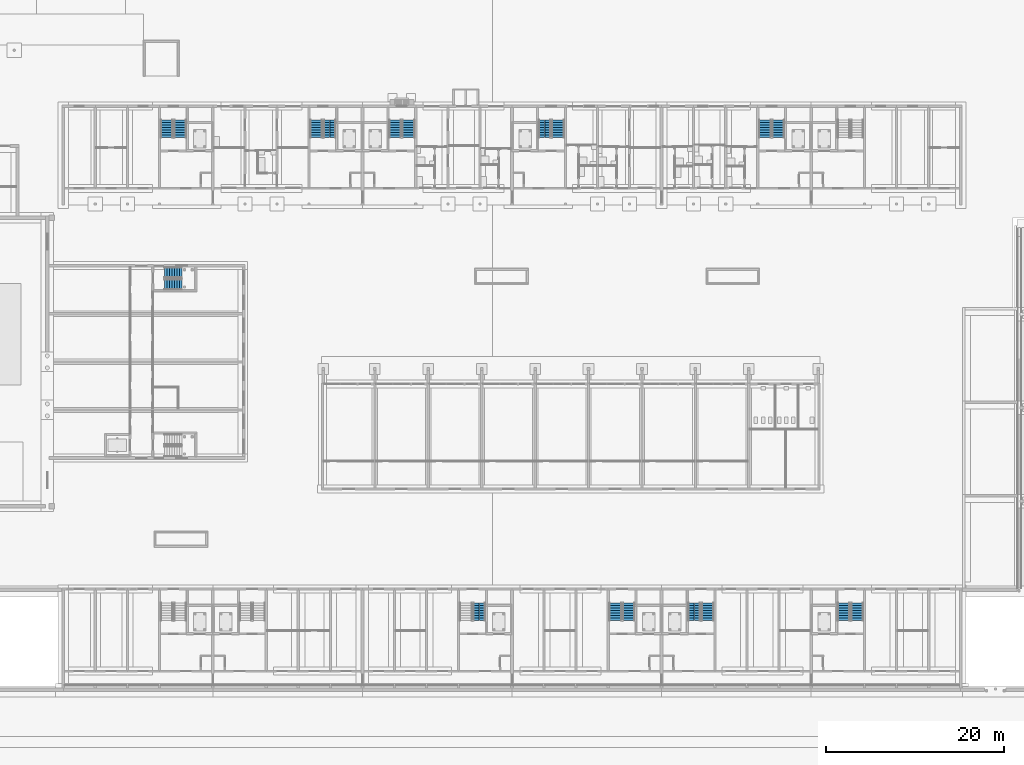
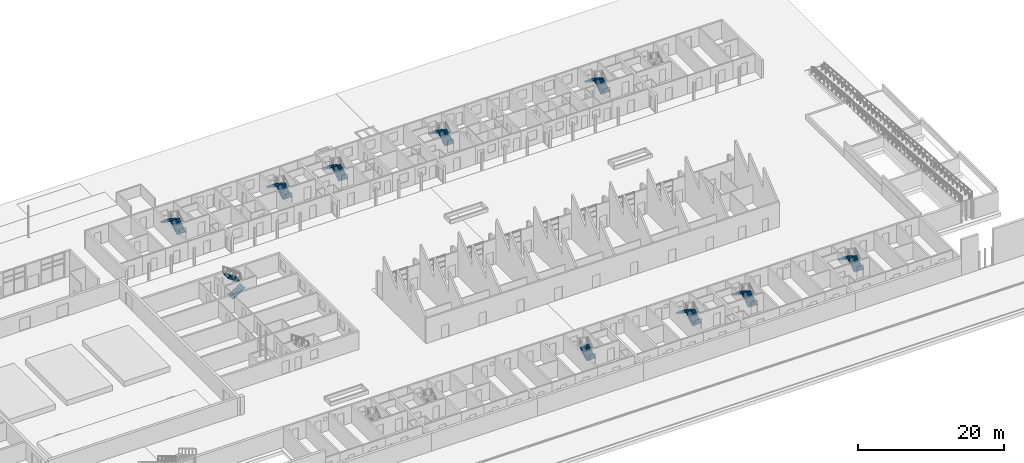
# One storey, part 73 of 112: 19 stair flights, 10 elements without a shape of their own.
"""IFC4 building model written with IfcOpenShell, lengths in metres."""

from ifc_helpers import new_model, si_unit, direction, frame, origin, place, context, subcontext, project, spatial, polyline, outline, extrude, material, type_object, element, aggregate, save


model = new_model("IFC4")

# Units and contexts
model_context = context("Model", 3, precision=1e-05, world=origin(), true_north=direction((0.0, 1.0)))
body_context = subcontext(model_context, "Body", "Model", "MODEL_VIEW")
ifc_project = project(units=[si_unit("LENGTHUNIT", "METRE"), si_unit("AREAUNIT", "SQUARE_METRE"), si_unit("VOLUMEUNIT", "CUBIC_METRE"), si_unit("PLANEANGLEUNIT", "RADIAN"), si_unit("MASSUNIT", "GRAM", prefix="KILO")], contexts=[model_context])

# Site, building, storey
site_placement = place(None, origin())
site = spatial("IfcSite", under=ifc_project, at=site_placement, CompositionType="ELEMENT")
building_placement = place(site_placement, origin())
building = spatial("IfcBuilding", under=site, at=building_placement, Name="Ridgestep Commons", CompositionType="ELEMENT")
storey_placement = place(building_placement, origin())
storey = spatial("IfcBuildingStorey", under=building, at=storey_placement, Name="L00", CompositionType="ELEMENT", Elevation=0.0)

# Stair, stair flights
ifc_material_1 = material(Name="Concrete C30/37", Category="concrete")
stair_type_1 = type_object("IfcStairType", Name="Community stair", PredefinedType="HALF_TURN_STAIR", material=ifc_material_1)
stair_1_placement = place(storey_placement, origin())
stair_1 = element("IfcStair", 1, at=stair_1_placement, inside=storey, type_object=stair_type_1, Name="L00 AE-ST3", PredefinedType="HALF_TURN_STAIR")
ifc_material_2 = material(Name="Concrete C30/37", Category="concrete")
stair_flight_type_1 = type_object("IfcStairFlightType", Name="Community stair flight", PredefinedType="STRAIGHT", material=ifc_material_2)
stair_flight_1_placement = place(storey_placement, frame((158.14990234375, 57.10009765625, 0.0), z_axis=(0.0, 0.0, 1.0), x_axis=(1.0, 0.0, 0.0)))
stair_flight_1 = element("IfcStairFlight", 2, at=stair_flight_1_placement, type_object=stair_flight_type_1, Name="AE-ST3 flight 1", NumberOfRisers=8, NumberOfTreads=7, PredefinedType="STRAIGHT", RiserHeight=0.1875, TreadLength=0.28, context=body_context, shape_type="SweptSolid", body=[
    extrude(outline(polyline([(0.0, 0.0), (0.0, 0.1875), (0.280029296875, 0.1875), (0.280029296875, 0.375), (0.56005859375, 0.375), (0.56005859375, 0.5625), (0.840087890625, 0.5625), (0.840087890625, 0.75), (1.1201171875, 0.75), (1.1201171875, 0.9375), (1.39990234375, 0.9375), (1.39990234375, 1.125), (1.679931640625, 1.125), (1.679931640625, 1.3125), (1.9599609375, 1.3125), (1.9599609375, 1.5), (1.9599609375, 1.132080078125), (0.26953125, 0.0), (0.0, 0.0)])), frame((0.0, 0.60009765625, 0.0), z_axis=(0.0, -1.0, 0.0), x_axis=(1.0, 0.0, 0.0)), (0.0, 0.0, 1.0), 0.594970703125),
    extrude(outline(polyline([(0.0, 0.0), (0.0, 0.1875), (0.280029296875, 0.1875), (0.280029296875, 0.375), (0.56005859375, 0.375), (0.56005859375, 0.5625), (0.840087890625, 0.5625), (0.840087890625, 0.75), (1.1201171875, 0.75), (1.1201171875, 0.9375), (1.39990234375, 0.9375), (1.39990234375, 1.125), (1.679931640625, 1.125), (1.679931640625, 1.3125), (1.9599609375, 1.3125), (1.9599609375, 1.5), (1.9599609375, 1.132080078125), (0.26953125, 0.0), (0.0, 0.0)])), frame((0.0, -0.0048828125, 0.0), z_axis=(0.0, -1.0, 0.0), x_axis=(1.0, 0.0, 0.0)), (0.0, 0.0, 1.0), 0.594970703125),
])
stair_flight_2_placement = place(storey_placement, frame((160.110107421875, 58.449951171875, 1.5), z_axis=(0.0, 0.0, 1.0), x_axis=(-1.0, 0.0, 0.0)))
stair_flight_2 = element("IfcStairFlight", 3, at=stair_flight_2_placement, type_object=stair_flight_type_1, Name="AE-ST3 flight 2", NumberOfRisers=8, NumberOfTreads=7, PredefinedType="STRAIGHT", RiserHeight=0.1875, TreadLength=0.28, context=body_context, shape_type="SweptSolid", body=[
    extrude(outline(polyline([(0.0, 0.0), (0.0, 0.1875), (0.280029296875, 0.1875), (0.280029296875, 0.375), (0.56005859375, 0.375), (0.56005859375, 0.5625), (0.840087890625, 0.5625), (0.840087890625, 0.75), (1.1201171875, 0.75), (1.1201171875, 0.9375), (1.39990234375, 0.9375), (1.39990234375, 1.125), (1.679931640625, 1.125), (1.679931640625, 1.3125), (1.9599609375, 1.3125), (1.9599609375, 1.5), (1.9599609375, 1.132080078125), (0.26953125, 0.0), (0.0, 0.0)])), frame((0.0, 0.60009765625, 0.0), z_axis=(0.0, -1.0, 0.0), x_axis=(1.0, 0.0, 0.0)), (0.0, 0.0, 1.0), 0.594970703125),
    extrude(outline(polyline([(0.0, 0.0), (0.0, 0.1875), (0.280029296875, 0.1875), (0.280029296875, 0.375), (0.56005859375, 0.375), (0.56005859375, 0.5625), (0.840087890625, 0.5625), (0.840087890625, 0.75), (1.1201171875, 0.75), (1.1201171875, 0.9375), (1.39990234375, 0.9375), (1.39990234375, 1.125), (1.679931640625, 1.125), (1.679931640625, 1.3125), (1.9599609375, 1.3125), (1.9599609375, 1.5), (1.9599609375, 1.132080078125), (0.26953125, 0.0), (0.0, 0.0)])), frame((0.0, -0.0048828125, 0.0), z_axis=(0.0, -1.0, 0.0), x_axis=(1.0, 0.0, 0.0)), (0.0, 0.0, 1.0), 0.594970703125),
])
aggregate(stair_1, [stair_flight_1, stair_flight_2])

ifc_material_3 = material(Name="Precast concrete C40/50", Category="concrete")
stair_type_2 = type_object("IfcStairType", Name="Escape stair 1400", PredefinedType="HALF_TURN_STAIR", material=ifc_material_3)
stair_2_placement = place(storey_placement, origin())
stair_2 = element("IfcStair", 4, at=stair_2_placement, inside=storey, type_object=stair_type_2, Name="L00 Escape stair C1C", PredefinedType="HALF_TURN_STAIR")
ifc_material_4 = material(Name="Precast concrete C40/50", Category="concrete")
stair_flight_type_2 = type_object("IfcStairFlightType", Name="Stair flight 1400", PredefinedType="STRAIGHT", material=ifc_material_4)
stair_flight_3_placement = place(storey_placement, frame((159.925048828125, 73.60009765625, 0.0), z_axis=(0.0, 0.0, 1.0), x_axis=(0.0, 1.0, 0.0)))
stair_flight_3 = element("IfcStairFlight", 5, at=stair_flight_3_placement, type_object=stair_flight_type_2, Name="C1C flight 1", NumberOfRisers=8, NumberOfTreads=7, PredefinedType="STRAIGHT", RiserHeight=0.1875, TreadLength=0.28, context=body_context, shape_type="SweptSolid", body=[
    extrude(outline(polyline([(0.0, 0.0), (0.0, 0.1875), (0.280029296875, 0.1875), (0.280029296875, 0.375), (0.56005859375, 0.375), (0.56005859375, 0.5625), (0.840087890625, 0.5625), (0.840087890625, 0.75), (1.1201171875, 0.75), (1.1201171875, 0.9375), (1.39990234375, 0.9375), (1.39990234375, 1.125), (1.679931640625, 1.125), (1.679931640625, 1.3125), (1.9599609375, 1.3125), (1.9599609375, 1.5), (1.9599609375, 1.132080078125), (0.26953125, 0.0), (0.0, 0.0)])), frame((0.0, 0.699951171875, 0.0), z_axis=(0.0, -1.0, 0.0), x_axis=(1.0, 0.0, 0.0)), (0.0, 0.0, 1.0), 0.695068359375),
    extrude(outline(polyline([(0.0, 0.0), (0.0, 0.1875), (0.280029296875, 0.1875), (0.280029296875, 0.375), (0.56005859375, 0.375), (0.56005859375, 0.5625), (0.840087890625, 0.5625), (0.840087890625, 0.75), (1.1201171875, 0.75), (1.1201171875, 0.9375), (1.39990234375, 0.9375), (1.39990234375, 1.125), (1.679931640625, 1.125), (1.679931640625, 1.3125), (1.9599609375, 1.3125), (1.9599609375, 1.5), (1.9599609375, 1.132080078125), (0.26953125, 0.0), (0.0, 0.0)])), frame((0.0, -0.0048828125, 0.0), z_axis=(0.0, -1.0, 0.0), x_axis=(1.0, 0.0, 0.0)), (0.0, 0.0, 1.0), 0.695068359375),
])
stair_flight_4_placement = place(storey_placement, frame((158.425048828125, 75.56005859375, 1.5), z_axis=(0.0, 0.0, 1.0), x_axis=(0.0, -1.0, 0.0)))
stair_flight_4 = element("IfcStairFlight", 6, at=stair_flight_4_placement, type_object=stair_flight_type_2, Name="C1C flight 2", NumberOfRisers=8, NumberOfTreads=7, PredefinedType="STRAIGHT", RiserHeight=0.1875, TreadLength=0.28, context=body_context, shape_type="SweptSolid", body=[
    extrude(outline(polyline([(0.0, 0.0), (0.0, 0.1875), (0.280029296875, 0.1875), (0.280029296875, 0.375), (0.56005859375, 0.375), (0.56005859375, 0.5625), (0.840087890625, 0.5625), (0.840087890625, 0.75), (1.1201171875, 0.75), (1.1201171875, 0.9375), (1.39990234375, 0.9375), (1.39990234375, 1.125), (1.679931640625, 1.125), (1.679931640625, 1.3125), (1.9599609375, 1.3125), (1.9599609375, 1.5), (1.9599609375, 1.132080078125), (0.26953125, 0.0), (0.0, 0.0)])), frame((0.0, 0.699951171875, 0.0), z_axis=(0.0, -1.0, 0.0), x_axis=(1.0, 0.0, 0.0)), (0.0, 0.0, 1.0), 0.695068359375),
    extrude(outline(polyline([(0.0, 0.0), (0.0, 0.1875), (0.280029296875, 0.1875), (0.280029296875, 0.375), (0.56005859375, 0.375), (0.56005859375, 0.5625), (0.840087890625, 0.5625), (0.840087890625, 0.75), (1.1201171875, 0.75), (1.1201171875, 0.9375), (1.39990234375, 0.9375), (1.39990234375, 1.125), (1.679931640625, 1.125), (1.679931640625, 1.3125), (1.9599609375, 1.3125), (1.9599609375, 1.5), (1.9599609375, 1.132080078125), (0.26953125, 0.0), (0.0, 0.0)])), frame((0.0, -0.0048828125, 0.0), z_axis=(0.0, -1.0, 0.0), x_axis=(1.0, 0.0, 0.0)), (0.0, 0.0, 1.0), 0.695068359375),
])
aggregate(stair_2, [stair_flight_3, stair_flight_4])

stair_3_placement = place(storey_placement, origin())
stair_3 = element("IfcStair", 7, at=stair_3_placement, inside=storey, type_object=stair_type_2, Name="L00 Escape stair C2C", PredefinedType="HALF_TURN_STAIR")
stair_flight_5_placement = place(storey_placement, frame((176.72509765625, 73.60009765625, 0.0), z_axis=(0.0, 0.0, 1.0), x_axis=(0.0, 1.0, 0.0)))
stair_flight_5 = element("IfcStairFlight", 8, at=stair_flight_5_placement, type_object=stair_flight_type_2, Name="C2C flight 1", NumberOfRisers=8, NumberOfTreads=7, PredefinedType="STRAIGHT", RiserHeight=0.1875, TreadLength=0.28, context=body_context, shape_type="SweptSolid", body=[
    extrude(outline(polyline([(0.0, 0.0), (0.0, 0.1875), (0.280029296875, 0.1875), (0.280029296875, 0.375), (0.56005859375, 0.375), (0.56005859375, 0.5625), (0.840087890625, 0.5625), (0.840087890625, 0.75), (1.1201171875, 0.75), (1.1201171875, 0.9375), (1.39990234375, 0.9375), (1.39990234375, 1.125), (1.679931640625, 1.125), (1.679931640625, 1.3125), (1.9599609375, 1.3125), (1.9599609375, 1.5), (1.9599609375, 1.132080078125), (0.26953125, 0.0), (0.0, 0.0)])), frame((0.0, 0.699951171875, 0.0), z_axis=(0.0, -1.0, 0.0), x_axis=(1.0, 0.0, 0.0)), (0.0, 0.0, 1.0), 0.695068359375),
    extrude(outline(polyline([(0.0, 0.0), (0.0, 0.1875), (0.280029296875, 0.1875), (0.280029296875, 0.375), (0.56005859375, 0.375), (0.56005859375, 0.5625), (0.840087890625, 0.5625), (0.840087890625, 0.75), (1.1201171875, 0.75), (1.1201171875, 0.9375), (1.39990234375, 0.9375), (1.39990234375, 1.125), (1.679931640625, 1.125), (1.679931640625, 1.3125), (1.9599609375, 1.3125), (1.9599609375, 1.5), (1.9599609375, 1.132080078125), (0.26953125, 0.0), (0.0, 0.0)])), frame((0.0, -0.0048828125, 0.0), z_axis=(0.0, -1.0, 0.0), x_axis=(1.0, 0.0, 0.0)), (0.0, 0.0, 1.0), 0.695068359375),
])
stair_flight_6_placement = place(storey_placement, frame((175.22509765625, 75.56005859375, 1.5), z_axis=(0.0, 0.0, 1.0), x_axis=(0.0, -1.0, 0.0)))
stair_flight_6 = element("IfcStairFlight", 9, at=stair_flight_6_placement, type_object=stair_flight_type_2, Name="C2C flight 2", NumberOfRisers=8, NumberOfTreads=7, PredefinedType="STRAIGHT", RiserHeight=0.1875, TreadLength=0.28, context=body_context, shape_type="SweptSolid", body=[
    extrude(outline(polyline([(0.0, 0.0), (0.0, 0.1875), (0.280029296875, 0.1875), (0.280029296875, 0.375), (0.56005859375, 0.375), (0.56005859375, 0.5625), (0.840087890625, 0.5625), (0.840087890625, 0.75), (1.1201171875, 0.75), (1.1201171875, 0.9375), (1.39990234375, 0.9375), (1.39990234375, 1.125), (1.679931640625, 1.125), (1.679931640625, 1.3125), (1.9599609375, 1.3125), (1.9599609375, 1.5), (1.9599609375, 1.132080078125), (0.26953125, 0.0), (0.0, 0.0)])), frame((0.0, 0.699951171875, 0.0), z_axis=(0.0, -1.0, 0.0), x_axis=(1.0, 0.0, 0.0)), (0.0, 0.0, 1.0), 0.695068359375),
    extrude(outline(polyline([(0.0, 0.0), (0.0, 0.1875), (0.280029296875, 0.1875), (0.280029296875, 0.375), (0.56005859375, 0.375), (0.56005859375, 0.5625), (0.840087890625, 0.5625), (0.840087890625, 0.75), (1.1201171875, 0.75), (1.1201171875, 0.9375), (1.39990234375, 0.9375), (1.39990234375, 1.125), (1.679931640625, 1.125), (1.679931640625, 1.3125), (1.9599609375, 1.3125), (1.9599609375, 1.5), (1.9599609375, 1.132080078125), (0.26953125, 0.0), (0.0, 0.0)])), frame((0.0, -0.0048828125, 0.0), z_axis=(0.0, -1.0, 0.0), x_axis=(1.0, 0.0, 0.0)), (0.0, 0.0, 1.0), 0.695068359375),
])
aggregate(stair_3, [stair_flight_5, stair_flight_6])

stair_4_placement = place(storey_placement, origin())
stair_4 = element("IfcStair", 10, at=stair_4_placement, inside=storey, type_object=stair_type_2, Name="L00 Escape stair C3C", PredefinedType="HALF_TURN_STAIR")
stair_flight_7_placement = place(storey_placement, frame((185.574951171875, 73.60009765625, 0.0), z_axis=(0.0, 0.0, 1.0), x_axis=(0.0, 1.0, 0.0)))
stair_flight_7 = element("IfcStairFlight", 11, at=stair_flight_7_placement, type_object=stair_flight_type_2, Name="C3C flight 1", NumberOfRisers=8, NumberOfTreads=7, PredefinedType="STRAIGHT", RiserHeight=0.1875, TreadLength=0.28, context=body_context, shape_type="SweptSolid", body=[
    extrude(outline(polyline([(0.0, 0.0), (0.0, 0.1875), (0.280029296875, 0.1875), (0.280029296875, 0.375), (0.56005859375, 0.375), (0.56005859375, 0.5625), (0.840087890625, 0.5625), (0.840087890625, 0.75), (1.1201171875, 0.75), (1.1201171875, 0.9375), (1.39990234375, 0.9375), (1.39990234375, 1.125), (1.679931640625, 1.125), (1.679931640625, 1.3125), (1.9599609375, 1.3125), (1.9599609375, 1.5), (1.9599609375, 1.132080078125), (0.26953125, 0.0), (0.0, 0.0)])), frame((0.0, 0.699951171875, 0.0), z_axis=(0.0, -1.0, 0.0), x_axis=(1.0, 0.0, 0.0)), (0.0, 0.0, 1.0), 0.695068359375),
    extrude(outline(polyline([(0.0, 0.0), (0.0, 0.1875), (0.280029296875, 0.1875), (0.280029296875, 0.375), (0.56005859375, 0.375), (0.56005859375, 0.5625), (0.840087890625, 0.5625), (0.840087890625, 0.75), (1.1201171875, 0.75), (1.1201171875, 0.9375), (1.39990234375, 0.9375), (1.39990234375, 1.125), (1.679931640625, 1.125), (1.679931640625, 1.3125), (1.9599609375, 1.3125), (1.9599609375, 1.5), (1.9599609375, 1.132080078125), (0.26953125, 0.0), (0.0, 0.0)])), frame((0.0, -0.0048828125, 0.0), z_axis=(0.0, -1.0, 0.0), x_axis=(1.0, 0.0, 0.0)), (0.0, 0.0, 1.0), 0.695068359375),
])
stair_flight_8_placement = place(storey_placement, frame((184.074951171875, 75.56005859375, 1.5), z_axis=(0.0, 0.0, 1.0), x_axis=(0.0, -1.0, 0.0)))
stair_flight_8 = element("IfcStairFlight", 12, at=stair_flight_8_placement, type_object=stair_flight_type_2, Name="C3C flight 2", NumberOfRisers=8, NumberOfTreads=7, PredefinedType="STRAIGHT", RiserHeight=0.1875, TreadLength=0.28, context=body_context, shape_type="SweptSolid", body=[
    extrude(outline(polyline([(0.0, 0.0), (0.0, 0.1875), (0.280029296875, 0.1875), (0.280029296875, 0.375), (0.56005859375, 0.375), (0.56005859375, 0.5625), (0.840087890625, 0.5625), (0.840087890625, 0.75), (1.1201171875, 0.75), (1.1201171875, 0.9375), (1.39990234375, 0.9375), (1.39990234375, 1.125), (1.679931640625, 1.125), (1.679931640625, 1.3125), (1.9599609375, 1.3125), (1.9599609375, 1.5), (1.9599609375, 1.132080078125), (0.26953125, 0.0), (0.0, 0.0)])), frame((0.0, 0.699951171875, 0.0), z_axis=(0.0, -1.0, 0.0), x_axis=(1.0, 0.0, 0.0)), (0.0, 0.0, 1.0), 0.695068359375),
    extrude(outline(polyline([(0.0, 0.0), (0.0, 0.1875), (0.280029296875, 0.1875), (0.280029296875, 0.375), (0.56005859375, 0.375), (0.56005859375, 0.5625), (0.840087890625, 0.5625), (0.840087890625, 0.75), (1.1201171875, 0.75), (1.1201171875, 0.9375), (1.39990234375, 0.9375), (1.39990234375, 1.125), (1.679931640625, 1.125), (1.679931640625, 1.3125), (1.9599609375, 1.3125), (1.9599609375, 1.5), (1.9599609375, 1.132080078125), (0.26953125, 0.0), (0.0, 0.0)])), frame((0.0, -0.0048828125, 0.0), z_axis=(0.0, -1.0, 0.0), x_axis=(1.0, 0.0, 0.0)), (0.0, 0.0, 1.0), 0.695068359375),
])
aggregate(stair_4, [stair_flight_7, stair_flight_8])

stair_5_placement = place(storey_placement, origin())
stair_5 = element("IfcStair", 13, at=stair_5_placement, inside=storey, type_object=stair_type_2, Name="L00 Escape stair C4C", PredefinedType="HALF_TURN_STAIR")
stair_flight_9_placement = place(storey_placement, frame((202.375, 73.60009765625, 0.0), z_axis=(0.0, 0.0, 1.0), x_axis=(0.0, 1.0, 0.0)))
stair_flight_9 = element("IfcStairFlight", 14, at=stair_flight_9_placement, type_object=stair_flight_type_2, Name="C4C flight 1", NumberOfRisers=8, NumberOfTreads=7, PredefinedType="STRAIGHT", RiserHeight=0.1875, TreadLength=0.28, context=body_context, shape_type="SweptSolid", body=[
    extrude(outline(polyline([(0.0, 0.0), (0.0, 0.1875), (0.280029296875, 0.1875), (0.280029296875, 0.375), (0.56005859375, 0.375), (0.56005859375, 0.5625), (0.840087890625, 0.5625), (0.840087890625, 0.75), (1.1201171875, 0.75), (1.1201171875, 0.9375), (1.39990234375, 0.9375), (1.39990234375, 1.125), (1.679931640625, 1.125), (1.679931640625, 1.3125), (1.9599609375, 1.3125), (1.9599609375, 1.5), (1.9599609375, 1.132080078125), (0.26953125, 0.0), (0.0, 0.0)])), frame((0.0, 0.699951171875, 0.0), z_axis=(0.0, -1.0, 0.0), x_axis=(1.0, 0.0, 0.0)), (0.0, 0.0, 1.0), 0.695068359375),
    extrude(outline(polyline([(0.0, 0.0), (0.0, 0.1875), (0.280029296875, 0.1875), (0.280029296875, 0.375), (0.56005859375, 0.375), (0.56005859375, 0.5625), (0.840087890625, 0.5625), (0.840087890625, 0.75), (1.1201171875, 0.75), (1.1201171875, 0.9375), (1.39990234375, 0.9375), (1.39990234375, 1.125), (1.679931640625, 1.125), (1.679931640625, 1.3125), (1.9599609375, 1.3125), (1.9599609375, 1.5), (1.9599609375, 1.132080078125), (0.26953125, 0.0), (0.0, 0.0)])), frame((0.0, -0.0048828125, 0.0), z_axis=(0.0, -1.0, 0.0), x_axis=(1.0, 0.0, 0.0)), (0.0, 0.0, 1.0), 0.695068359375),
])
stair_flight_10_placement = place(storey_placement, frame((200.875, 75.56005859375, 1.5), z_axis=(0.0, 0.0, 1.0), x_axis=(0.0, -1.0, 0.0)))
stair_flight_10 = element("IfcStairFlight", 15, at=stair_flight_10_placement, type_object=stair_flight_type_2, Name="C4C flight 2", NumberOfRisers=8, NumberOfTreads=7, PredefinedType="STRAIGHT", RiserHeight=0.1875, TreadLength=0.28, context=body_context, shape_type="SweptSolid", body=[
    extrude(outline(polyline([(0.0, 0.0), (0.0, 0.1875), (0.280029296875, 0.1875), (0.280029296875, 0.375), (0.56005859375, 0.375), (0.56005859375, 0.5625), (0.840087890625, 0.5625), (0.840087890625, 0.75), (1.1201171875, 0.75), (1.1201171875, 0.9375), (1.39990234375, 0.9375), (1.39990234375, 1.125), (1.679931640625, 1.125), (1.679931640625, 1.3125), (1.9599609375, 1.3125), (1.9599609375, 1.5), (1.9599609375, 1.132080078125), (0.26953125, 0.0), (0.0, 0.0)])), frame((0.0, 0.699951171875, 0.0), z_axis=(0.0, -1.0, 0.0), x_axis=(1.0, 0.0, 0.0)), (0.0, 0.0, 1.0), 0.695068359375),
    extrude(outline(polyline([(0.0, 0.0), (0.0, 0.1875), (0.280029296875, 0.1875), (0.280029296875, 0.375), (0.56005859375, 0.375), (0.56005859375, 0.5625), (0.840087890625, 0.5625), (0.840087890625, 0.75), (1.1201171875, 0.75), (1.1201171875, 0.9375), (1.39990234375, 0.9375), (1.39990234375, 1.125), (1.679931640625, 1.125), (1.679931640625, 1.3125), (1.9599609375, 1.3125), (1.9599609375, 1.5), (1.9599609375, 1.132080078125), (0.26953125, 0.0), (0.0, 0.0)])), frame((0.0, -0.0048828125, 0.0), z_axis=(0.0, -1.0, 0.0), x_axis=(1.0, 0.0, 0.0)), (0.0, 0.0, 1.0), 0.695068359375),
])
aggregate(stair_5, [stair_flight_9, stair_flight_10])

stair_6_placement = place(storey_placement, origin())
stair_6 = element("IfcStair", 16, at=stair_6_placement, inside=storey, type_object=stair_type_2, Name="L00 Escape stair C5C", PredefinedType="HALF_TURN_STAIR")
stair_flight_11_placement = place(storey_placement, frame((227.125, 73.60009765625, 0.0), z_axis=(0.0, 0.0, 1.0), x_axis=(0.0, 1.0, 0.0)))
stair_flight_11 = element("IfcStairFlight", 17, at=stair_flight_11_placement, type_object=stair_flight_type_2, Name="C5C flight 1", NumberOfRisers=8, NumberOfTreads=7, PredefinedType="STRAIGHT", RiserHeight=0.1875, TreadLength=0.28, context=body_context, shape_type="SweptSolid", body=[
    extrude(outline(polyline([(0.0, 0.0), (0.0, 0.1875), (0.280029296875, 0.1875), (0.280029296875, 0.375), (0.56005859375, 0.375), (0.56005859375, 0.5625), (0.840087890625, 0.5625), (0.840087890625, 0.75), (1.1201171875, 0.75), (1.1201171875, 0.9375), (1.39990234375, 0.9375), (1.39990234375, 1.125), (1.679931640625, 1.125), (1.679931640625, 1.3125), (1.9599609375, 1.3125), (1.9599609375, 1.5), (1.9599609375, 1.132080078125), (0.26953125, 0.0), (0.0, 0.0)])), frame((0.0, 0.699951171875, 0.0), z_axis=(0.0, -1.0, 0.0), x_axis=(1.0, 0.0, 0.0)), (0.0, 0.0, 1.0), 0.695068359375),
    extrude(outline(polyline([(0.0, 0.0), (0.0, 0.1875), (0.280029296875, 0.1875), (0.280029296875, 0.375), (0.56005859375, 0.375), (0.56005859375, 0.5625), (0.840087890625, 0.5625), (0.840087890625, 0.75), (1.1201171875, 0.75), (1.1201171875, 0.9375), (1.39990234375, 0.9375), (1.39990234375, 1.125), (1.679931640625, 1.125), (1.679931640625, 1.3125), (1.9599609375, 1.3125), (1.9599609375, 1.5), (1.9599609375, 1.132080078125), (0.26953125, 0.0), (0.0, 0.0)])), frame((0.0, -0.0048828125, 0.0), z_axis=(0.0, -1.0, 0.0), x_axis=(1.0, 0.0, 0.0)), (0.0, 0.0, 1.0), 0.695068359375),
])
stair_flight_12_placement = place(storey_placement, frame((225.625, 75.56005859375, 1.5), z_axis=(0.0, 0.0, 1.0), x_axis=(0.0, -1.0, 0.0)))
stair_flight_12 = element("IfcStairFlight", 18, at=stair_flight_12_placement, type_object=stair_flight_type_2, Name="C5C flight 2", NumberOfRisers=8, NumberOfTreads=7, PredefinedType="STRAIGHT", RiserHeight=0.1875, TreadLength=0.28, context=body_context, shape_type="SweptSolid", body=[
    extrude(outline(polyline([(0.0, 0.0), (0.0, 0.1875), (0.280029296875, 0.1875), (0.280029296875, 0.375), (0.56005859375, 0.375), (0.56005859375, 0.5625), (0.840087890625, 0.5625), (0.840087890625, 0.75), (1.1201171875, 0.75), (1.1201171875, 0.9375), (1.39990234375, 0.9375), (1.39990234375, 1.125), (1.679931640625, 1.125), (1.679931640625, 1.3125), (1.9599609375, 1.3125), (1.9599609375, 1.5), (1.9599609375, 1.132080078125), (0.26953125, 0.0), (0.0, 0.0)])), frame((0.0, 0.699951171875, 0.0), z_axis=(0.0, -1.0, 0.0), x_axis=(1.0, 0.0, 0.0)), (0.0, 0.0, 1.0), 0.695068359375),
    extrude(outline(polyline([(0.0, 0.0), (0.0, 0.1875), (0.280029296875, 0.1875), (0.280029296875, 0.375), (0.56005859375, 0.375), (0.56005859375, 0.5625), (0.840087890625, 0.5625), (0.840087890625, 0.75), (1.1201171875, 0.75), (1.1201171875, 0.9375), (1.39990234375, 0.9375), (1.39990234375, 1.125), (1.679931640625, 1.125), (1.679931640625, 1.3125), (1.9599609375, 1.3125), (1.9599609375, 1.5), (1.9599609375, 1.132080078125), (0.26953125, 0.0), (0.0, 0.0)])), frame((0.0, -0.0048828125, 0.0), z_axis=(0.0, -1.0, 0.0), x_axis=(1.0, 0.0, 0.0)), (0.0, 0.0, 1.0), 0.695068359375),
])
aggregate(stair_6, [stair_flight_11, stair_flight_12])

# Stair, stair flight
stair_7_placement = place(storey_placement, origin())
stair_7 = element("IfcStair", 19, at=stair_7_placement, inside=storey, type_object=stair_type_2, Name="L00 Escape stair D3C", PredefinedType="HALF_TURN_STAIR")
stair_flight_13_placement = place(storey_placement, frame((193.52490234375, 19.35009765625, 0.0), z_axis=(0.0, 0.0, 1.0), x_axis=(0.0, 1.0, 0.0)))
stair_flight_13 = element("IfcStairFlight", 20, at=stair_flight_13_placement, type_object=stair_flight_type_2, Name="D3C flight 1", NumberOfRisers=8, NumberOfTreads=7, PredefinedType="STRAIGHT", RiserHeight=0.1875, TreadLength=0.28, context=body_context, shape_type="SweptSolid", body=[
    extrude(outline(polyline([(0.0, 0.0), (0.0, 0.1875), (0.280029296875, 0.1875), (0.280029296875, 0.375), (0.56005859375, 0.375), (0.56005859375, 0.5625), (0.840087890625, 0.5625), (0.840087890625, 0.75), (1.1201171875, 0.75), (1.1201171875, 0.9375), (1.39990234375, 0.9375), (1.39990234375, 1.125), (1.679931640625, 1.125), (1.679931640625, 1.3125), (1.9599609375, 1.3125), (1.9599609375, 1.5), (1.9599609375, 1.132080078125), (0.26953125, 0.0), (0.0, 0.0)])), frame((0.0, 0.699951171875, 0.0), z_axis=(0.0, -1.0, 0.0), x_axis=(1.0, 0.0, 0.0)), (0.0, 0.0, 1.0), 0.695068359375),
    extrude(outline(polyline([(0.0, 0.0), (0.0, 0.1875), (0.280029296875, 0.1875), (0.280029296875, 0.375), (0.56005859375, 0.375), (0.56005859375, 0.5625), (0.840087890625, 0.5625), (0.840087890625, 0.75), (1.1201171875, 0.75), (1.1201171875, 0.9375), (1.39990234375, 0.9375), (1.39990234375, 1.125), (1.679931640625, 1.125), (1.679931640625, 1.3125), (1.9599609375, 1.3125), (1.9599609375, 1.5), (1.9599609375, 1.132080078125), (0.26953125, 0.0), (0.0, 0.0)])), frame((0.0, -0.0048828125, 0.0), z_axis=(0.0, -1.0, 0.0), x_axis=(1.0, 0.0, 0.0)), (0.0, 0.0, 1.0), 0.695068359375),
])
aggregate(stair_7, [stair_flight_13])

# Stair, stair flights
stair_8_placement = place(storey_placement, origin())
stair_8 = element("IfcStair", 21, at=stair_8_placement, inside=storey, type_object=stair_type_2, Name="L00 Escape stair D4C", PredefinedType="HALF_TURN_STAIR")
stair_flight_14_placement = place(storey_placement, frame((210.324951171875, 19.35009765625, 0.0), z_axis=(0.0, 0.0, 1.0), x_axis=(0.0, 1.0, 0.0)))
stair_flight_14 = element("IfcStairFlight", 22, at=stair_flight_14_placement, type_object=stair_flight_type_2, Name="D4C flight 1", NumberOfRisers=8, NumberOfTreads=7, PredefinedType="STRAIGHT", RiserHeight=0.1875, TreadLength=0.28, context=body_context, shape_type="SweptSolid", body=[
    extrude(outline(polyline([(0.0, 0.0), (0.0, 0.1875), (0.280029296875, 0.1875), (0.280029296875, 0.375), (0.56005859375, 0.375), (0.56005859375, 0.5625), (0.840087890625, 0.5625), (0.840087890625, 0.75), (1.1201171875, 0.75), (1.1201171875, 0.9375), (1.39990234375, 0.9375), (1.39990234375, 1.125), (1.679931640625, 1.125), (1.679931640625, 1.3125), (1.9599609375, 1.3125), (1.9599609375, 1.5), (1.9599609375, 1.132080078125), (0.26953125, 0.0), (0.0, 0.0)])), frame((0.0, 0.699951171875, 0.0), z_axis=(0.0, -1.0, 0.0), x_axis=(1.0, 0.0, 0.0)), (0.0, 0.0, 1.0), 0.695068359375),
    extrude(outline(polyline([(0.0, 0.0), (0.0, 0.1875), (0.280029296875, 0.1875), (0.280029296875, 0.375), (0.56005859375, 0.375), (0.56005859375, 0.5625), (0.840087890625, 0.5625), (0.840087890625, 0.75), (1.1201171875, 0.75), (1.1201171875, 0.9375), (1.39990234375, 0.9375), (1.39990234375, 1.125), (1.679931640625, 1.125), (1.679931640625, 1.3125), (1.9599609375, 1.3125), (1.9599609375, 1.5), (1.9599609375, 1.132080078125), (0.26953125, 0.0), (0.0, 0.0)])), frame((0.0, -0.0048828125, 0.0), z_axis=(0.0, -1.0, 0.0), x_axis=(1.0, 0.0, 0.0)), (0.0, 0.0, 1.0), 0.695068359375),
])
stair_flight_15_placement = place(storey_placement, frame((208.824951171875, 21.31005859375, 1.5), z_axis=(0.0, 0.0, 1.0), x_axis=(0.0, -1.0, 0.0)))
stair_flight_15 = element("IfcStairFlight", 23, at=stair_flight_15_placement, type_object=stair_flight_type_2, Name="D4C flight 2", NumberOfRisers=8, NumberOfTreads=7, PredefinedType="STRAIGHT", RiserHeight=0.1875, TreadLength=0.28, context=body_context, shape_type="SweptSolid", body=[
    extrude(outline(polyline([(0.0, 0.0), (0.0, 0.1875), (0.280029296875, 0.1875), (0.280029296875, 0.375), (0.56005859375, 0.375), (0.56005859375, 0.5625), (0.840087890625, 0.5625), (0.840087890625, 0.75), (1.1201171875, 0.75), (1.1201171875, 0.9375), (1.39990234375, 0.9375), (1.39990234375, 1.125), (1.679931640625, 1.125), (1.679931640625, 1.3125), (1.9599609375, 1.3125), (1.9599609375, 1.5), (1.9599609375, 1.132080078125), (0.26953125, 0.0), (0.0, 0.0)])), frame((0.0, 0.699951171875, 0.0), z_axis=(0.0, -1.0, 0.0), x_axis=(1.0, 0.0, 0.0)), (0.0, 0.0, 1.0), 0.695068359375),
    extrude(outline(polyline([(0.0, 0.0), (0.0, 0.1875), (0.280029296875, 0.1875), (0.280029296875, 0.375), (0.56005859375, 0.375), (0.56005859375, 0.5625), (0.840087890625, 0.5625), (0.840087890625, 0.75), (1.1201171875, 0.75), (1.1201171875, 0.9375), (1.39990234375, 0.9375), (1.39990234375, 1.125), (1.679931640625, 1.125), (1.679931640625, 1.3125), (1.9599609375, 1.3125), (1.9599609375, 1.5), (1.9599609375, 1.132080078125), (0.26953125, 0.0), (0.0, 0.0)])), frame((0.0, -0.0048828125, 0.0), z_axis=(0.0, -1.0, 0.0), x_axis=(1.0, 0.0, 0.0)), (0.0, 0.0, 1.0), 0.695068359375),
])
aggregate(stair_8, [stair_flight_14, stair_flight_15])

stair_9_placement = place(storey_placement, origin())
stair_9 = element("IfcStair", 24, at=stair_9_placement, inside=storey, type_object=stair_type_2, Name="L00 Escape stair D5C", PredefinedType="HALF_TURN_STAIR")
stair_flight_16_placement = place(storey_placement, frame((219.175048828125, 19.35009765625, 0.0), z_axis=(0.0, 0.0, 1.0), x_axis=(0.0, 1.0, 0.0)))
stair_flight_16 = element("IfcStairFlight", 25, at=stair_flight_16_placement, type_object=stair_flight_type_2, Name="D5C flight 1", NumberOfRisers=8, NumberOfTreads=7, PredefinedType="STRAIGHT", RiserHeight=0.1875, TreadLength=0.28, context=body_context, shape_type="SweptSolid", body=[
    extrude(outline(polyline([(0.0, 0.0), (0.0, 0.1875), (0.280029296875, 0.1875), (0.280029296875, 0.375), (0.56005859375, 0.375), (0.56005859375, 0.5625), (0.840087890625, 0.5625), (0.840087890625, 0.75), (1.1201171875, 0.75), (1.1201171875, 0.9375), (1.39990234375, 0.9375), (1.39990234375, 1.125), (1.679931640625, 1.125), (1.679931640625, 1.3125), (1.9599609375, 1.3125), (1.9599609375, 1.5), (1.9599609375, 1.132080078125), (0.26953125, 0.0), (0.0, 0.0)])), frame((0.0, 0.699951171875, 0.0), z_axis=(0.0, -1.0, 0.0), x_axis=(1.0, 0.0, 0.0)), (0.0, 0.0, 1.0), 0.695068359375),
    extrude(outline(polyline([(0.0, 0.0), (0.0, 0.1875), (0.280029296875, 0.1875), (0.280029296875, 0.375), (0.56005859375, 0.375), (0.56005859375, 0.5625), (0.840087890625, 0.5625), (0.840087890625, 0.75), (1.1201171875, 0.75), (1.1201171875, 0.9375), (1.39990234375, 0.9375), (1.39990234375, 1.125), (1.679931640625, 1.125), (1.679931640625, 1.3125), (1.9599609375, 1.3125), (1.9599609375, 1.5), (1.9599609375, 1.132080078125), (0.26953125, 0.0), (0.0, 0.0)])), frame((0.0, -0.0048828125, 0.0), z_axis=(0.0, -1.0, 0.0), x_axis=(1.0, 0.0, 0.0)), (0.0, 0.0, 1.0), 0.695068359375),
])
stair_flight_17_placement = place(storey_placement, frame((217.675048828125, 21.31005859375, 1.5), z_axis=(0.0, 0.0, 1.0), x_axis=(0.0, -1.0, 0.0)))
stair_flight_17 = element("IfcStairFlight", 26, at=stair_flight_17_placement, type_object=stair_flight_type_2, Name="D5C flight 2", NumberOfRisers=8, NumberOfTreads=7, PredefinedType="STRAIGHT", RiserHeight=0.1875, TreadLength=0.28, context=body_context, shape_type="SweptSolid", body=[
    extrude(outline(polyline([(0.0, 0.0), (0.0, 0.1875), (0.280029296875, 0.1875), (0.280029296875, 0.375), (0.56005859375, 0.375), (0.56005859375, 0.5625), (0.840087890625, 0.5625), (0.840087890625, 0.75), (1.1201171875, 0.75), (1.1201171875, 0.9375), (1.39990234375, 0.9375), (1.39990234375, 1.125), (1.679931640625, 1.125), (1.679931640625, 1.3125), (1.9599609375, 1.3125), (1.9599609375, 1.5), (1.9599609375, 1.132080078125), (0.26953125, 0.0), (0.0, 0.0)])), frame((0.0, 0.699951171875, 0.0), z_axis=(0.0, -1.0, 0.0), x_axis=(1.0, 0.0, 0.0)), (0.0, 0.0, 1.0), 0.695068359375),
    extrude(outline(polyline([(0.0, 0.0), (0.0, 0.1875), (0.280029296875, 0.1875), (0.280029296875, 0.375), (0.56005859375, 0.375), (0.56005859375, 0.5625), (0.840087890625, 0.5625), (0.840087890625, 0.75), (1.1201171875, 0.75), (1.1201171875, 0.9375), (1.39990234375, 0.9375), (1.39990234375, 1.125), (1.679931640625, 1.125), (1.679931640625, 1.3125), (1.9599609375, 1.3125), (1.9599609375, 1.5), (1.9599609375, 1.132080078125), (0.26953125, 0.0), (0.0, 0.0)])), frame((0.0, -0.0048828125, 0.0), z_axis=(0.0, -1.0, 0.0), x_axis=(1.0, 0.0, 0.0)), (0.0, 0.0, 1.0), 0.695068359375),
])
aggregate(stair_9, [stair_flight_16, stair_flight_17])

stair_10_placement = place(storey_placement, origin())
stair_10 = element("IfcStair", 27, at=stair_10_placement, inside=storey, type_object=stair_type_2, Name="L00 Escape stair D6C", PredefinedType="HALF_TURN_STAIR")
stair_flight_18_placement = place(storey_placement, frame((235.97509765625, 19.35009765625, 0.0), z_axis=(0.0, 0.0, 1.0), x_axis=(0.0, 1.0, 0.0)))
stair_flight_18 = element("IfcStairFlight", 28, at=stair_flight_18_placement, type_object=stair_flight_type_2, Name="D6C flight 1", NumberOfRisers=8, NumberOfTreads=7, PredefinedType="STRAIGHT", RiserHeight=0.1875, TreadLength=0.28, context=body_context, shape_type="SweptSolid", body=[
    extrude(outline(polyline([(0.0, 0.0), (0.0, 0.1875), (0.280029296875, 0.1875), (0.280029296875, 0.375), (0.56005859375, 0.375), (0.56005859375, 0.5625), (0.840087890625, 0.5625), (0.840087890625, 0.75), (1.1201171875, 0.75), (1.1201171875, 0.9375), (1.39990234375, 0.9375), (1.39990234375, 1.125), (1.679931640625, 1.125), (1.679931640625, 1.3125), (1.9599609375, 1.3125), (1.9599609375, 1.5), (1.9599609375, 1.132080078125), (0.26953125, 0.0), (0.0, 0.0)])), frame((0.0, 0.699951171875, 0.0), z_axis=(0.0, -1.0, 0.0), x_axis=(1.0, 0.0, 0.0)), (0.0, 0.0, 1.0), 0.695068359375),
    extrude(outline(polyline([(0.0, 0.0), (0.0, 0.1875), (0.280029296875, 0.1875), (0.280029296875, 0.375), (0.56005859375, 0.375), (0.56005859375, 0.5625), (0.840087890625, 0.5625), (0.840087890625, 0.75), (1.1201171875, 0.75), (1.1201171875, 0.9375), (1.39990234375, 0.9375), (1.39990234375, 1.125), (1.679931640625, 1.125), (1.679931640625, 1.3125), (1.9599609375, 1.3125), (1.9599609375, 1.5), (1.9599609375, 1.132080078125), (0.26953125, 0.0), (0.0, 0.0)])), frame((0.0, -0.0048828125, 0.0), z_axis=(0.0, -1.0, 0.0), x_axis=(1.0, 0.0, 0.0)), (0.0, 0.0, 1.0), 0.695068359375),
])
stair_flight_19_placement = place(storey_placement, frame((234.47509765625, 21.31005859375, 1.5), z_axis=(0.0, 0.0, 1.0), x_axis=(0.0, -1.0, 0.0)))
stair_flight_19 = element("IfcStairFlight", 29, at=stair_flight_19_placement, type_object=stair_flight_type_2, Name="D6C flight 2", NumberOfRisers=8, NumberOfTreads=7, PredefinedType="STRAIGHT", RiserHeight=0.1875, TreadLength=0.28, context=body_context, shape_type="SweptSolid", body=[
    extrude(outline(polyline([(0.0, 0.0), (0.0, 0.1875), (0.280029296875, 0.1875), (0.280029296875, 0.375), (0.56005859375, 0.375), (0.56005859375, 0.5625), (0.840087890625, 0.5625), (0.840087890625, 0.75), (1.1201171875, 0.75), (1.1201171875, 0.9375), (1.39990234375, 0.9375), (1.39990234375, 1.125), (1.679931640625, 1.125), (1.679931640625, 1.3125), (1.9599609375, 1.3125), (1.9599609375, 1.5), (1.9599609375, 1.132080078125), (0.26953125, 0.0), (0.0, 0.0)])), frame((0.0, 0.699951171875, 0.0), z_axis=(0.0, -1.0, 0.0), x_axis=(1.0, 0.0, 0.0)), (0.0, 0.0, 1.0), 0.695068359375),
    extrude(outline(polyline([(0.0, 0.0), (0.0, 0.1875), (0.280029296875, 0.1875), (0.280029296875, 0.375), (0.56005859375, 0.375), (0.56005859375, 0.5625), (0.840087890625, 0.5625), (0.840087890625, 0.75), (1.1201171875, 0.75), (1.1201171875, 0.9375), (1.39990234375, 0.9375), (1.39990234375, 1.125), (1.679931640625, 1.125), (1.679931640625, 1.3125), (1.9599609375, 1.3125), (1.9599609375, 1.5), (1.9599609375, 1.132080078125), (0.26953125, 0.0), (0.0, 0.0)])), frame((0.0, -0.0048828125, 0.0), z_axis=(0.0, -1.0, 0.0), x_axis=(1.0, 0.0, 0.0)), (0.0, 0.0, 1.0), 0.695068359375),
])
aggregate(stair_10, [stair_flight_18, stair_flight_19])

save(model, "model.ifc")
